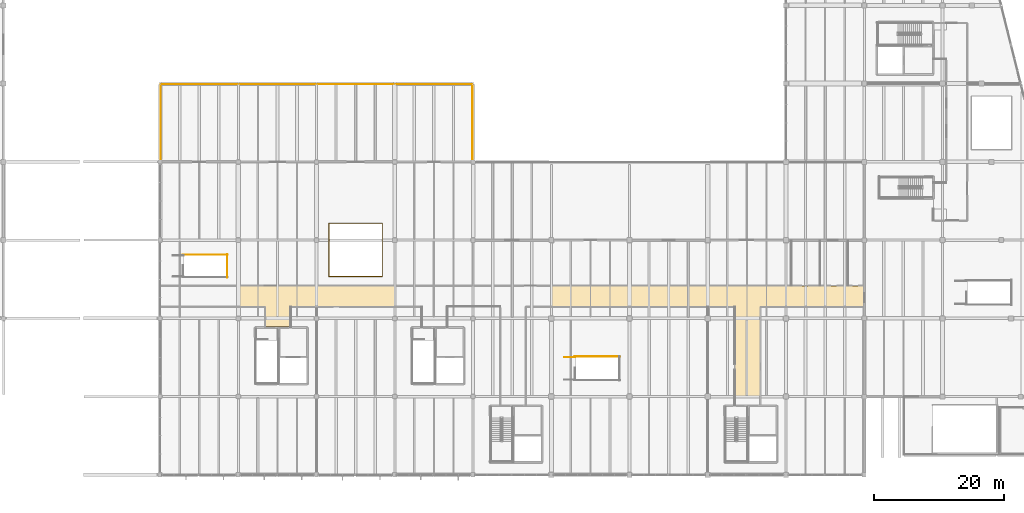
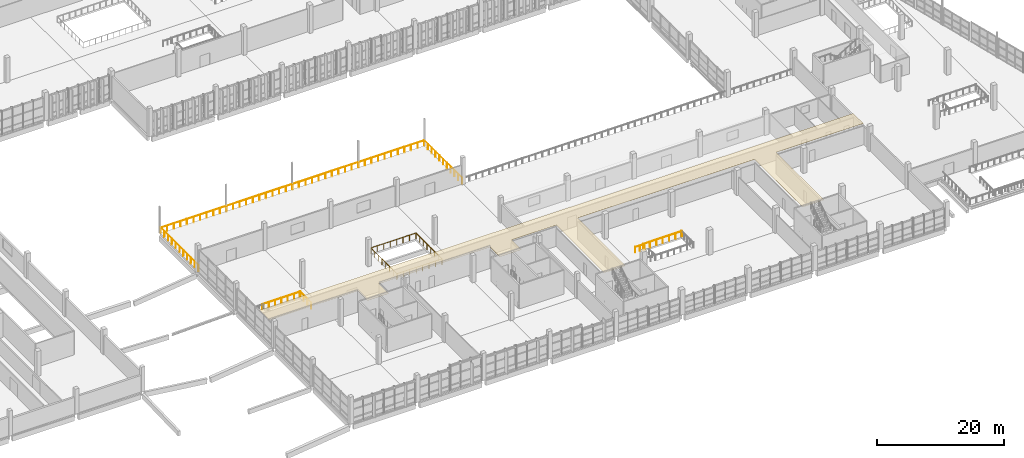
# One storey, part 94 of 112: 6 railings, 1 covering.
"""IFC4 building model written with IfcOpenShell, lengths in metres."""

from ifc_helpers import new_model, si_unit, direction, frame, origin, origin_2d, place, context, subcontext, project, spatial, polyline, circle, outline, extrude, material, layer, layer_set, type_object, element, save


model = new_model("IFC4")

# Units and contexts
model_context = context("Model", 3, precision=1e-05, world=origin(), true_north=direction((0.0, 1.0)))
body_context = subcontext(model_context, "Body", "Model", "MODEL_VIEW")
ifc_project = project(units=[si_unit("LENGTHUNIT", "METRE"), si_unit("AREAUNIT", "SQUARE_METRE"), si_unit("VOLUMEUNIT", "CUBIC_METRE"), si_unit("PLANEANGLEUNIT", "RADIAN"), si_unit("MASSUNIT", "GRAM", prefix="KILO")], contexts=[model_context])

# Site, building, storey
site_placement = place(None, origin())
site = spatial("IfcSite", under=ifc_project, at=site_placement, CompositionType="ELEMENT")
building_placement = place(site_placement, origin())
building = spatial("IfcBuilding", under=site, at=building_placement, Name="Kamomehara Wholesale Market", CompositionType="ELEMENT")
storey_placement = place(building_placement, frame((0.0, 0.0, 6.60009765625)))
storey = spatial("IfcBuildingStorey", under=building, at=storey_placement, Name="L01", CompositionType="ELEMENT", Elevation=6.60009765625)

# Covering
ifc_material_1 = material(Name="Acoustic mineral ceiling tile")
ifc_layer = layer(ifc_material_1, 0.02490234375)
ifc_layer_set = layer_set([ifc_layer], Name="Acoustic mineral ceiling tile")
covering_type = type_object("IfcCoveringType", Name="COV-CEIL-01", PredefinedType="CEILING", material=ifc_layer_set)
covering_placement = place(storey_placement, frame((0.0, 0.0, 4.0)))
element("IfcCovering", 1, at=covering_placement, inside=storey, type_object=covering_type, Name="Acoustic ceiling L01-16", PredefinedType="CEILING", context=body_context, shape_type="SweptSolid", body=[
    extrude(outline(polyline([(80.0458984375, 37.80908203125), (80.044921875, 37.80908203125), (80.0439453125, 37.80810546875), (80.0439453125, 37.80810546875), (80.04296875, 37.806884765625), (80.0419921875, 37.805908203125), (80.0419921875, 37.805908203125), (80.041015625, 37.804931640625), (80.041015625, 37.803955078125), (80.0400390625, 37.802978515625), (80.0400390625, 37.802001953125), (80.0400390625, 37.801025390625), (80.0400390625, 37.800048828125), (80.0400390625, 34.739990234375), (76.159912109375, 34.739990234375), (76.159912109375, 37.800048828125), (76.159912109375, 37.801025390625), (76.159912109375, 37.802001953125), (76.159912109375, 37.802978515625), (76.158935546875, 37.803955078125), (76.158935546875, 37.804931640625), (76.157958984375, 37.805908203125), (76.157958984375, 37.805908203125), (76.156982421875, 37.806884765625), (76.156005859375, 37.80810546875), (76.156005859375, 37.80810546875), (76.155029296875, 37.80908203125), (76.154052734375, 37.80908203125), (76.153076171875, 37.81005859375), (76.152099609375, 37.81005859375), (76.15087890625, 37.81005859375), (76.14990234375, 37.81005859375), (60.1298828125, 37.81005859375), (60.1298828125, 40.989990234375), (167.8701171875, 40.989990234375), (167.8701171875, 37.81005859375), (152.050048828125, 37.81005859375), (152.049072265625, 37.81005859375), (152.048095703125, 37.81005859375), (152.047119140625, 37.81005859375), (152.0458984375, 37.80908203125), (152.044921875, 37.80908203125), (152.0439453125, 37.80810546875), (152.0439453125, 37.80810546875), (152.04296875, 37.806884765625), (152.0419921875, 37.805908203125), (152.0419921875, 37.805908203125), (152.041015625, 37.804931640625), (152.041015625, 37.803955078125), (152.0400390625, 37.802978515625), (152.0400390625, 37.802001953125), (152.0400390625, 37.801025390625), (152.0400390625, 37.800048828125), (152.0400390625, 22.739990234375), (148.159912109375, 22.739990234375), (148.159912109375, 37.800048828125), (148.159912109375, 37.801025390625), (148.159912109375, 37.802001953125), (148.159912109375, 37.802978515625), (148.158935546875, 37.803955078125), (148.158935546875, 37.804931640625), (148.157958984375, 37.805908203125), (148.157958984375, 37.805908203125), (148.156982421875, 37.806884765625), (148.156005859375, 37.80810546875), (148.156005859375, 37.80810546875), (148.155029296875, 37.80908203125), (148.154052734375, 37.80908203125), (148.153076171875, 37.81005859375), (148.152099609375, 37.81005859375), (148.15087890625, 37.81005859375), (148.14990234375, 37.81005859375), (116.050048828125, 37.81005859375), (116.049072265625, 37.81005859375), (116.048095703125, 37.81005859375), (116.047119140625, 37.81005859375), (116.0458984375, 37.80908203125), (116.044921875, 37.80908203125), (116.0439453125, 37.80810546875), (116.0439453125, 37.80810546875), (116.04296875, 37.806884765625), (116.0419921875, 37.805908203125), (116.0419921875, 37.805908203125), (116.041015625, 37.804931640625), (116.041015625, 37.803955078125), (116.0400390625, 37.802978515625), (116.0400390625, 37.802001953125), (116.0400390625, 37.801025390625), (116.0400390625, 37.800048828125), (116.0400390625, 22.739990234375), (112.159912109375, 22.739990234375), (112.159912109375, 37.800048828125), (112.159912109375, 37.801025390625), (112.159912109375, 37.802001953125), (112.159912109375, 37.802978515625), (112.158935546875, 37.803955078125), (112.158935546875, 37.804931640625), (112.157958984375, 37.805908203125), (112.157958984375, 37.805908203125), (112.156982421875, 37.806884765625), (112.156005859375, 37.80810546875), (112.156005859375, 37.80810546875), (112.155029296875, 37.80908203125), (112.154052734375, 37.80908203125), (112.153076171875, 37.81005859375), (112.152099609375, 37.81005859375), (112.15087890625, 37.81005859375), (112.14990234375, 37.81005859375), (104.050048828125, 37.81005859375), (104.049072265625, 37.81005859375), (104.048095703125, 37.81005859375), (104.047119140625, 37.81005859375), (104.0458984375, 37.80908203125), (104.044921875, 37.80908203125), (104.0439453125, 37.80810546875), (104.0439453125, 37.80810546875), (104.04296875, 37.806884765625), (104.0419921875, 37.805908203125), (104.0419921875, 37.805908203125), (104.041015625, 37.804931640625), (104.041015625, 37.803955078125), (104.0400390625, 37.802978515625), (104.0400390625, 37.802001953125), (104.0400390625, 37.801025390625), (104.0400390625, 37.800048828125), (104.0400390625, 34.739990234375), (100.159912109375, 34.739990234375), (100.159912109375, 37.800048828125), (100.159912109375, 37.801025390625), (100.159912109375, 37.802001953125), (100.159912109375, 37.802978515625), (100.158935546875, 37.803955078125), (100.158935546875, 37.804931640625), (100.157958984375, 37.805908203125), (100.157958984375, 37.805908203125), (100.156982421875, 37.806884765625), (100.156005859375, 37.80810546875), (100.156005859375, 37.80810546875), (100.155029296875, 37.80908203125), (100.154052734375, 37.80908203125), (100.153076171875, 37.81005859375), (100.152099609375, 37.81005859375), (100.15087890625, 37.81005859375), (100.14990234375, 37.81005859375), (80.050048828125, 37.81005859375), (80.049072265625, 37.81005859375), (80.048095703125, 37.81005859375), (80.047119140625, 37.81005859375), (80.0458984375, 37.80908203125)])), origin(), (0.0, 0.0, 1.0), 0.02490234375),
])

# Railings
ifc_material_2 = material(Name="Steel SN400B", Category="steel")
railing_type_1 = type_object("IfcRailingType", Name="RAL-EXT-1100", PredefinedType="BALUSTRADE", material=ifc_material_2)
railing_1_placement = place(storey_placement, frame((60.10009765625, 60.0, 0.0)))
element("IfcRailing", 2, at=railing_1_placement, inside=storey, type_object=railing_type_1, Name="Terrace guard OSLB-L01-V4LOG 2", PredefinedType="BALUSTRADE", context=body_context, shape_type="SweptSolid", body=[
    extrude(circle(Radius=0.02392578125, at=origin_2d()), frame((0.0, 0.0, 1.09619140625), z_axis=(0.0, 1.0, 0.0), x_axis=(-1.0, 0.0, 0.0)), (0.0, 0.0, 1.0), 11.89990234375),
    extrude(circle(Radius=0.02392578125, at=origin_2d()), frame((0.0, 11.89990234375, 1.09619140625), z_axis=(1.0, 0.0, 0.0), x_axis=(0.0, 1.0, 0.0)), (0.0, 0.0, 1.0), 47.7998046875),
    extrude(circle(Radius=0.02392578125, at=origin_2d()), frame((47.7998046875, 11.89990234375, 1.09619140625), z_axis=(0.0, -1.0, 0.0), x_axis=(1.0, 0.0, 0.0)), (0.0, 0.0, 1.0), 11.89990234375),
    extrude(circle(Radius=0.02099609375, at=origin_2d()), origin(), (0.0, 0.0, 1.0), 1.072021484375),
    extrude(circle(Radius=0.02099609375, at=origin_2d()), frame((0.0, 1.18994140625, 0.0)), (0.0, 0.0, 1.0), 1.072021484375),
    extrude(circle(Radius=0.02099609375, at=origin_2d()), frame((0.0, 2.3798828125, 0.0)), (0.0, 0.0, 1.0), 1.072021484375),
    extrude(circle(Radius=0.02099609375, at=origin_2d()), frame((0.0, 3.570068359375, 0.0)), (0.0, 0.0, 1.0), 1.072021484375),
    extrude(circle(Radius=0.02099609375, at=origin_2d()), frame((0.0, 4.760009765625, 0.0)), (0.0, 0.0, 1.0), 1.072021484375),
    extrude(circle(Radius=0.02099609375, at=origin_2d()), frame((0.0, 5.949951171875, 0.0)), (0.0, 0.0, 1.0), 1.072021484375),
    extrude(circle(Radius=0.02099609375, at=origin_2d()), frame((0.0, 7.139892578125, 0.0)), (0.0, 0.0, 1.0), 1.072021484375),
    extrude(circle(Radius=0.02099609375, at=origin_2d()), frame((0.0, 8.329833984375, 0.0)), (0.0, 0.0, 1.0), 1.072021484375),
    extrude(circle(Radius=0.02099609375, at=origin_2d()), frame((0.0, 9.52001953125, 0.0)), (0.0, 0.0, 1.0), 1.072021484375),
    extrude(circle(Radius=0.02099609375, at=origin_2d()), frame((0.0, 10.7099609375, 0.0)), (0.0, 0.0, 1.0), 1.072021484375),
    extrude(circle(Radius=0.02099609375, at=origin_2d()), frame((0.0, 11.89990234375, 0.0)), (0.0, 0.0, 1.0), 1.072021484375),
    extrude(circle(Radius=0.02099609375, at=origin_2d()), frame((1.195068359375, 11.89990234375, 0.0)), (0.0, 0.0, 1.0), 1.072021484375),
    extrude(circle(Radius=0.02099609375, at=origin_2d()), frame((2.389892578125, 11.89990234375, 0.0)), (0.0, 0.0, 1.0), 1.072021484375),
    extrude(circle(Radius=0.02099609375, at=origin_2d()), frame((3.5849609375, 11.89990234375, 0.0)), (0.0, 0.0, 1.0), 1.072021484375),
    extrude(circle(Radius=0.02099609375, at=origin_2d()), frame((4.780029296875, 11.89990234375, 0.0)), (0.0, 0.0, 1.0), 1.072021484375),
    extrude(circle(Radius=0.02099609375, at=origin_2d()), frame((5.97509765625, 11.89990234375, 0.0)), (0.0, 0.0, 1.0), 1.072021484375),
    extrude(circle(Radius=0.02099609375, at=origin_2d()), frame((7.169921875, 11.89990234375, 0.0)), (0.0, 0.0, 1.0), 1.072021484375),
    extrude(circle(Radius=0.02099609375, at=origin_2d()), frame((8.364990234375, 11.89990234375, 0.0)), (0.0, 0.0, 1.0), 1.072021484375),
    extrude(circle(Radius=0.02099609375, at=origin_2d()), frame((9.56005859375, 11.89990234375, 0.0)), (0.0, 0.0, 1.0), 1.072021484375),
    extrude(circle(Radius=0.02099609375, at=origin_2d()), frame((10.7548828125, 11.89990234375, 0.0)), (0.0, 0.0, 1.0), 1.072021484375),
    extrude(circle(Radius=0.02099609375, at=origin_2d()), frame((11.949951171875, 11.89990234375, 0.0)), (0.0, 0.0, 1.0), 1.072021484375),
    extrude(circle(Radius=0.02099609375, at=origin_2d()), frame((13.14501953125, 11.89990234375, 0.0)), (0.0, 0.0, 1.0), 1.072021484375),
    extrude(circle(Radius=0.02099609375, at=origin_2d()), frame((14.33984375, 11.89990234375, 0.0)), (0.0, 0.0, 1.0), 1.072021484375),
    extrude(circle(Radius=0.02099609375, at=origin_2d()), frame((15.534912109375, 11.89990234375, 0.0)), (0.0, 0.0, 1.0), 1.072021484375),
    extrude(circle(Radius=0.02099609375, at=origin_2d()), frame((16.72998046875, 11.89990234375, 0.0)), (0.0, 0.0, 1.0), 1.072021484375),
    extrude(circle(Radius=0.02099609375, at=origin_2d()), frame((17.9248046875, 11.89990234375, 0.0)), (0.0, 0.0, 1.0), 1.072021484375),
    extrude(circle(Radius=0.02099609375, at=origin_2d()), frame((19.119873046875, 11.89990234375, 0.0)), (0.0, 0.0, 1.0), 1.072021484375),
    extrude(circle(Radius=0.02099609375, at=origin_2d()), frame((20.31494140625, 11.89990234375, 0.0)), (0.0, 0.0, 1.0), 1.072021484375),
    extrude(circle(Radius=0.02099609375, at=origin_2d()), frame((21.510009765625, 11.89990234375, 0.0)), (0.0, 0.0, 1.0), 1.072021484375),
    extrude(circle(Radius=0.02099609375, at=origin_2d()), frame((22.704833984375, 11.89990234375, 0.0)), (0.0, 0.0, 1.0), 1.072021484375),
    extrude(circle(Radius=0.02099609375, at=origin_2d()), frame((23.89990234375, 11.89990234375, 0.0)), (0.0, 0.0, 1.0), 1.072021484375),
    extrude(circle(Radius=0.02099609375, at=origin_2d()), frame((25.094970703125, 11.89990234375, 0.0)), (0.0, 0.0, 1.0), 1.072021484375),
    extrude(circle(Radius=0.02099609375, at=origin_2d()), frame((26.289794921875, 11.89990234375, 0.0)), (0.0, 0.0, 1.0), 1.072021484375),
    extrude(circle(Radius=0.02099609375, at=origin_2d()), frame((27.48486328125, 11.89990234375, 0.0)), (0.0, 0.0, 1.0), 1.072021484375),
    extrude(circle(Radius=0.02099609375, at=origin_2d()), frame((28.679931640625, 11.89990234375, 0.0)), (0.0, 0.0, 1.0), 1.072021484375),
    extrude(circle(Radius=0.02099609375, at=origin_2d()), frame((29.875, 11.89990234375, 0.0)), (0.0, 0.0, 1.0), 1.072021484375),
    extrude(circle(Radius=0.02099609375, at=origin_2d()), frame((31.06982421875, 11.89990234375, 0.0)), (0.0, 0.0, 1.0), 1.072021484375),
    extrude(circle(Radius=0.02099609375, at=origin_2d()), frame((32.264892578125, 11.89990234375, 0.0)), (0.0, 0.0, 1.0), 1.072021484375),
    extrude(circle(Radius=0.02099609375, at=origin_2d()), frame((33.4599609375, 11.89990234375, 0.0)), (0.0, 0.0, 1.0), 1.072021484375),
    extrude(circle(Radius=0.02099609375, at=origin_2d()), frame((34.65478515625, 11.89990234375, 0.0)), (0.0, 0.0, 1.0), 1.072021484375),
    extrude(circle(Radius=0.02099609375, at=origin_2d()), frame((35.849853515625, 11.89990234375, 0.0)), (0.0, 0.0, 1.0), 1.072021484375),
    extrude(circle(Radius=0.02099609375, at=origin_2d()), frame((37.044921875, 11.89990234375, 0.0)), (0.0, 0.0, 1.0), 1.072021484375),
    extrude(circle(Radius=0.02099609375, at=origin_2d()), frame((38.23974609375, 11.89990234375, 0.0)), (0.0, 0.0, 1.0), 1.072021484375),
    extrude(circle(Radius=0.02099609375, at=origin_2d()), frame((39.434814453125, 11.89990234375, 0.0)), (0.0, 0.0, 1.0), 1.072021484375),
    extrude(circle(Radius=0.02099609375, at=origin_2d()), frame((40.6298828125, 11.89990234375, 0.0)), (0.0, 0.0, 1.0), 1.072021484375),
    extrude(circle(Radius=0.02099609375, at=origin_2d()), frame((41.82470703125, 11.89990234375, 0.0)), (0.0, 0.0, 1.0), 1.072021484375),
    extrude(circle(Radius=0.02099609375, at=origin_2d()), frame((43.019775390625, 11.89990234375, 0.0)), (0.0, 0.0, 1.0), 1.072021484375),
    extrude(circle(Radius=0.02099609375, at=origin_2d()), frame((44.21484375, 11.89990234375, 0.0)), (0.0, 0.0, 1.0), 1.072021484375),
    extrude(circle(Radius=0.02099609375, at=origin_2d()), frame((45.409912109375, 11.89990234375, 0.0)), (0.0, 0.0, 1.0), 1.072021484375),
    extrude(circle(Radius=0.02099609375, at=origin_2d()), frame((46.604736328125, 11.89990234375, 0.0)), (0.0, 0.0, 1.0), 1.072021484375),
    extrude(circle(Radius=0.02099609375, at=origin_2d()), frame((47.7998046875, 11.89990234375, 0.0)), (0.0, 0.0, 1.0), 1.072021484375),
    extrude(circle(Radius=0.02099609375, at=origin_2d()), frame((47.7998046875, 10.7099609375, 0.0)), (0.0, 0.0, 1.0), 1.072021484375),
    extrude(circle(Radius=0.02099609375, at=origin_2d()), frame((47.7998046875, 9.52001953125, 0.0)), (0.0, 0.0, 1.0), 1.072021484375),
    extrude(circle(Radius=0.02099609375, at=origin_2d()), frame((47.7998046875, 8.329833984375, 0.0)), (0.0, 0.0, 1.0), 1.072021484375),
    extrude(circle(Radius=0.02099609375, at=origin_2d()), frame((47.7998046875, 7.139892578125, 0.0)), (0.0, 0.0, 1.0), 1.072021484375),
    extrude(circle(Radius=0.02099609375, at=origin_2d()), frame((47.7998046875, 5.949951171875, 0.0)), (0.0, 0.0, 1.0), 1.072021484375),
    extrude(circle(Radius=0.02099609375, at=origin_2d()), frame((47.7998046875, 4.760009765625, 0.0)), (0.0, 0.0, 1.0), 1.072021484375),
    extrude(circle(Radius=0.02099609375, at=origin_2d()), frame((47.7998046875, 3.570068359375, 0.0)), (0.0, 0.0, 1.0), 1.072021484375),
    extrude(circle(Radius=0.02099609375, at=origin_2d()), frame((47.7998046875, 2.3798828125, 0.0)), (0.0, 0.0, 1.0), 1.072021484375),
    extrude(circle(Radius=0.02099609375, at=origin_2d()), frame((47.7998046875, 1.18994140625, 0.0)), (0.0, 0.0, 1.0), 1.072021484375),
    extrude(circle(Radius=0.02099609375, at=origin_2d()), frame((47.7998046875, 0.0, 0.0)), (0.0, 0.0, 1.0), 1.072021484375),
])
ifc_material_3 = material(Name="Steel SN400B", Category="steel")
railing_type_2 = type_object("IfcRailingType", Name="RAL-INT-1100", PredefinedType="BALUSTRADE", material=ifc_material_3)
railing_2_placement = place(storey_placement, frame((63.47509765625, 45.75, 0.0)))
element("IfcRailing", 3, at=railing_2_placement, inside=storey, type_object=railing_type_2, Name="L01 ST-16 top well guard 3", PredefinedType="BALUSTRADE", context=body_context, shape_type="SweptSolid", body=[
    extrude(circle(Radius=0.02392578125, at=origin_2d()), frame((0.0, 0.0, 1.09619140625), z_axis=(1.0, 0.0, 0.0), x_axis=(0.0, 1.0, 0.0)), (0.0, 0.0, 1.0), 6.875),
    extrude(circle(Radius=0.02099609375, at=origin_2d()), origin(), (0.0, 0.0, 1.0), 1.072021484375),
    extrude(circle(Radius=0.02099609375, at=origin_2d()), frame((1.145751953125, 0.0, 0.0)), (0.0, 0.0, 1.0), 1.072021484375),
    extrude(circle(Radius=0.02099609375, at=origin_2d()), frame((2.291748046875, 0.0, 0.0)), (0.0, 0.0, 1.0), 1.072021484375),
    extrude(circle(Radius=0.02099609375, at=origin_2d()), frame((3.4375, 0.0, 0.0)), (0.0, 0.0, 1.0), 1.072021484375),
    extrude(circle(Radius=0.02099609375, at=origin_2d()), frame((4.583251953125, 0.0, 0.0)), (0.0, 0.0, 1.0), 1.072021484375),
    extrude(circle(Radius=0.02099609375, at=origin_2d()), frame((5.729248046875, 0.0, 0.0)), (0.0, 0.0, 1.0), 1.072021484375),
    extrude(circle(Radius=0.02099609375, at=origin_2d()), frame((6.875, 0.0, 0.0)), (0.0, 0.0, 1.0), 1.072021484375),
])
railing_3_placement = place(storey_placement, frame((70.300048828125, 42.25, 0.0)))
element("IfcRailing", 4, at=railing_3_placement, inside=storey, type_object=railing_type_2, Name="L01 ST-16 top well guard 4", PredefinedType="BALUSTRADE", context=body_context, shape_type="SweptSolid", body=[
    extrude(circle(Radius=0.02392578125, at=origin_2d()), frame((0.0, 0.0, 1.09619140625), z_axis=(0.0, 1.0, 0.0), x_axis=(-1.0, 0.0, 0.0)), (0.0, 0.0, 1.0), 3.550048828125),
    extrude(circle(Radius=0.02099609375, at=origin_2d()), origin(), (0.0, 0.0, 1.0), 1.072021484375),
    extrude(circle(Radius=0.02099609375, at=origin_2d()), frame((0.0, 1.183349609375, 0.0)), (0.0, 0.0, 1.0), 1.072021484375),
    extrude(circle(Radius=0.02099609375, at=origin_2d()), frame((0.0, 2.36669921875, 0.0)), (0.0, 0.0, 1.0), 1.072021484375),
    extrude(circle(Radius=0.02099609375, at=origin_2d()), frame((0.0, 3.550048828125, 0.0)), (0.0, 0.0, 1.0), 1.072021484375),
])
railing_4_placement = place(storey_placement, frame((123.56494140625, 30.1298828125, 0.0)))
element("IfcRailing", 5, at=railing_4_placement, inside=storey, type_object=railing_type_2, Name="L01 ST-17 top well guard 3", PredefinedType="BALUSTRADE", context=body_context, shape_type="SweptSolid", body=[
    extrude(circle(Radius=0.02392578125, at=origin_2d()), frame((0.0, 0.0, 1.09619140625), z_axis=(1.0, 0.0, 0.0), x_axis=(0.0, 1.0, 0.0)), (0.0, 0.0, 1.0), 6.965087890625),
    extrude(circle(Radius=0.02099609375, at=origin_2d()), origin(), (0.0, 0.0, 1.0), 1.072021484375),
    extrude(circle(Radius=0.02099609375, at=origin_2d()), frame((1.160888671875, 0.0, 0.0)), (0.0, 0.0, 1.0), 1.072021484375),
    extrude(circle(Radius=0.02099609375, at=origin_2d()), frame((2.32177734375, 0.0, 0.0)), (0.0, 0.0, 1.0), 1.072021484375),
    extrude(circle(Radius=0.02099609375, at=origin_2d()), frame((3.482421875, 0.0, 0.0)), (0.0, 0.0, 1.0), 1.072021484375),
    extrude(circle(Radius=0.02099609375, at=origin_2d()), frame((4.643310546875, 0.0, 0.0)), (0.0, 0.0, 1.0), 1.072021484375),
    extrude(circle(Radius=0.02099609375, at=origin_2d()), frame((5.80419921875, 0.0, 0.0)), (0.0, 0.0, 1.0), 1.072021484375),
    extrude(circle(Radius=0.02099609375, at=origin_2d()), frame((6.965087890625, 0.0, 0.0)), (0.0, 0.0, 1.0), 1.072021484375),
])
railing_5_placement = place(storey_placement, frame((122.0, 30.030029296875, 0.0)))
element("IfcRailing", 6, at=railing_5_placement, inside=storey, type_object=railing_type_2, Name="L01 ST-17 top well guard 6", PredefinedType="BALUSTRADE", context=body_context, shape_type="SweptSolid", body=[
    extrude(circle(Radius=0.02392578125, at=origin_2d()), frame((0.0, 0.0, 1.09619140625), z_axis=(1.0, 0.0, 0.0), x_axis=(0.0, 1.0, 0.0)), (0.0, 0.0, 1.0), 1.6650390625),
    extrude(circle(Radius=0.02099609375, at=origin_2d()), origin(), (0.0, 0.0, 1.0), 1.072021484375),
    extrude(circle(Radius=0.02099609375, at=origin_2d()), frame((0.83251953125, 0.0, 0.0)), (0.0, 0.0, 1.0), 1.072021484375),
    extrude(circle(Radius=0.02099609375, at=origin_2d()), frame((1.6650390625, 0.0, 0.0)), (0.0, 0.0, 1.0), 1.072021484375),
])
railing_6_placement = place(storey_placement, frame((94.080078125, 42.419921875, 0.0)))
element("IfcRailing", 7, at=railing_6_placement, inside=storey, type_object=railing_type_2, Name="Atrium void guard L01 5", PredefinedType="BALUSTRADE", context=body_context, shape_type="SweptSolid", body=[
    extrude(circle(Radius=0.02392578125, at=origin_2d()), frame((0.0, 0.0, 1.09619140625), z_axis=(-1.0, 0.0, 0.0), x_axis=(0.0, -1.0, 0.0)), (0.0, 0.0, 1.0), 8.16015625),
    extrude(circle(Radius=0.02392578125, at=origin_2d()), frame((-8.16015625, 0.0, 1.09619140625), z_axis=(0.0, 1.0, 0.0), x_axis=(-1.0, 0.0, 0.0)), (0.0, 0.0, 1.0), 8.16015625),
    extrude(circle(Radius=0.02392578125, at=origin_2d()), frame((-8.16015625, 8.16015625, 1.09619140625), z_axis=(1.0, 0.0, 0.0), x_axis=(0.0, 1.0, 0.0)), (0.0, 0.0, 1.0), 8.16015625),
    extrude(circle(Radius=0.02392578125, at=origin_2d()), frame((0.0, 8.16015625, 1.09619140625), z_axis=(0.0, -1.0, 0.0), x_axis=(1.0, 0.0, 0.0)), (0.0, 0.0, 1.0), 8.16015625),
    extrude(circle(Radius=0.02099609375, at=origin_2d()), origin(), (0.0, 0.0, 1.0), 1.072021484375),
    extrude(circle(Radius=0.02099609375, at=origin_2d()), frame((-1.165771484375, 0.0, 0.0)), (0.0, 0.0, 1.0), 1.072021484375),
    extrude(circle(Radius=0.02099609375, at=origin_2d()), frame((-2.33154296875, 0.0, 0.0)), (0.0, 0.0, 1.0), 1.072021484375),
    extrude(circle(Radius=0.02099609375, at=origin_2d()), frame((-3.497314453125, 0.0, 0.0)), (0.0, 0.0, 1.0), 1.072021484375),
    extrude(circle(Radius=0.02099609375, at=origin_2d()), frame((-4.662841796875, 0.0, 0.0)), (0.0, 0.0, 1.0), 1.072021484375),
    extrude(circle(Radius=0.02099609375, at=origin_2d()), frame((-5.82861328125, 0.0, 0.0)), (0.0, 0.0, 1.0), 1.072021484375),
    extrude(circle(Radius=0.02099609375, at=origin_2d()), frame((-6.994384765625, 0.0, 0.0)), (0.0, 0.0, 1.0), 1.072021484375),
    extrude(circle(Radius=0.02099609375, at=origin_2d()), frame((-8.16015625, 0.0, 0.0)), (0.0, 0.0, 1.0), 1.072021484375),
    extrude(circle(Radius=0.02099609375, at=origin_2d()), frame((-8.16015625, 1.165771484375, 0.0)), (0.0, 0.0, 1.0), 1.072021484375),
    extrude(circle(Radius=0.02099609375, at=origin_2d()), frame((-8.16015625, 2.33154296875, 0.0)), (0.0, 0.0, 1.0), 1.072021484375),
    extrude(circle(Radius=0.02099609375, at=origin_2d()), frame((-8.16015625, 3.497314453125, 0.0)), (0.0, 0.0, 1.0), 1.072021484375),
    extrude(circle(Radius=0.02099609375, at=origin_2d()), frame((-8.16015625, 4.662841796875, 0.0)), (0.0, 0.0, 1.0), 1.072021484375),
    extrude(circle(Radius=0.02099609375, at=origin_2d()), frame((-8.16015625, 5.82861328125, 0.0)), (0.0, 0.0, 1.0), 1.072021484375),
    extrude(circle(Radius=0.02099609375, at=origin_2d()), frame((-8.16015625, 6.994384765625, 0.0)), (0.0, 0.0, 1.0), 1.072021484375),
    extrude(circle(Radius=0.02099609375, at=origin_2d()), frame((-8.16015625, 8.16015625, 0.0)), (0.0, 0.0, 1.0), 1.072021484375),
    extrude(circle(Radius=0.02099609375, at=origin_2d()), frame((-6.994384765625, 8.16015625, 0.0)), (0.0, 0.0, 1.0), 1.072021484375),
    extrude(circle(Radius=0.02099609375, at=origin_2d()), frame((-5.82861328125, 8.16015625, 0.0)), (0.0, 0.0, 1.0), 1.072021484375),
    extrude(circle(Radius=0.02099609375, at=origin_2d()), frame((-4.662841796875, 8.16015625, 0.0)), (0.0, 0.0, 1.0), 1.072021484375),
    extrude(circle(Radius=0.02099609375, at=origin_2d()), frame((-3.497314453125, 8.16015625, 0.0)), (0.0, 0.0, 1.0), 1.072021484375),
    extrude(circle(Radius=0.02099609375, at=origin_2d()), frame((-2.33154296875, 8.16015625, 0.0)), (0.0, 0.0, 1.0), 1.072021484375),
    extrude(circle(Radius=0.02099609375, at=origin_2d()), frame((-1.165771484375, 8.16015625, 0.0)), (0.0, 0.0, 1.0), 1.072021484375),
    extrude(circle(Radius=0.02099609375, at=origin_2d()), frame((0.0, 8.16015625, 0.0)), (0.0, 0.0, 1.0), 1.072021484375),
    extrude(circle(Radius=0.02099609375, at=origin_2d()), frame((0.0, 6.994384765625, 0.0)), (0.0, 0.0, 1.0), 1.072021484375),
    extrude(circle(Radius=0.02099609375, at=origin_2d()), frame((0.0, 5.82861328125, 0.0)), (0.0, 0.0, 1.0), 1.072021484375),
    extrude(circle(Radius=0.02099609375, at=origin_2d()), frame((0.0, 4.662841796875, 0.0)), (0.0, 0.0, 1.0), 1.072021484375),
    extrude(circle(Radius=0.02099609375, at=origin_2d()), frame((0.0, 3.497314453125, 0.0)), (0.0, 0.0, 1.0), 1.072021484375),
    extrude(circle(Radius=0.02099609375, at=origin_2d()), frame((0.0, 2.33154296875, 0.0)), (0.0, 0.0, 1.0), 1.072021484375),
    extrude(circle(Radius=0.02099609375, at=origin_2d()), frame((0.0, 1.165771484375, 0.0)), (0.0, 0.0, 1.0), 1.072021484375),
])

save(model, "model.ifc")
